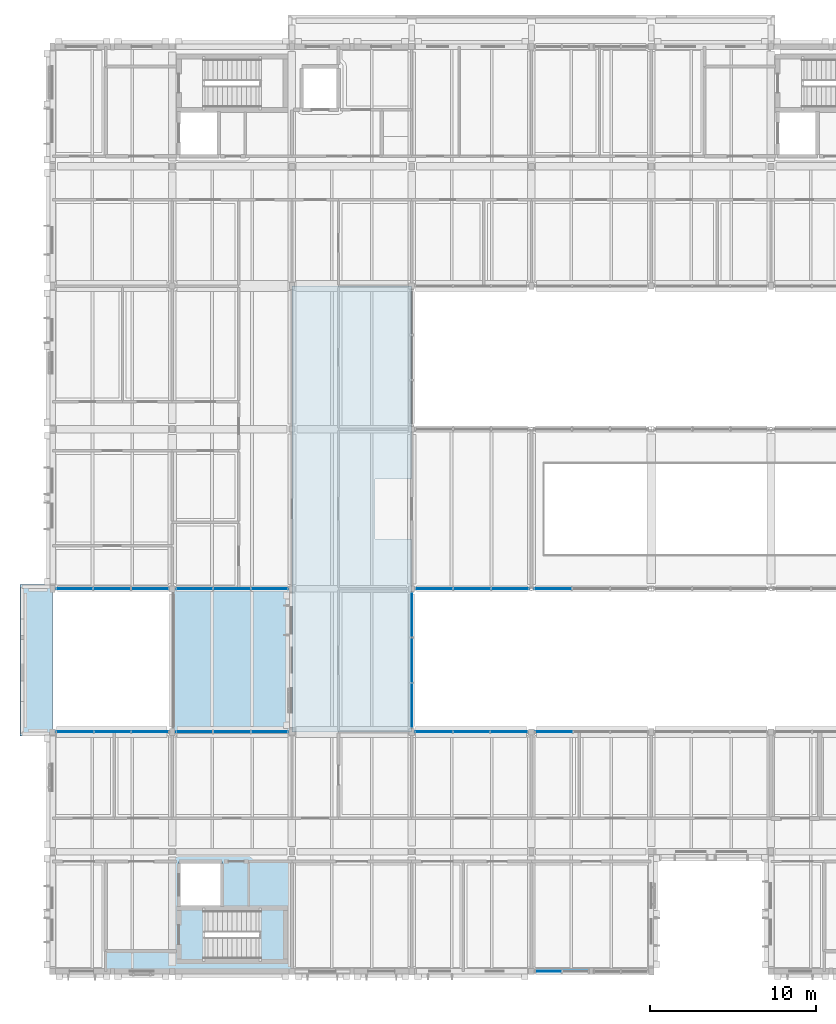
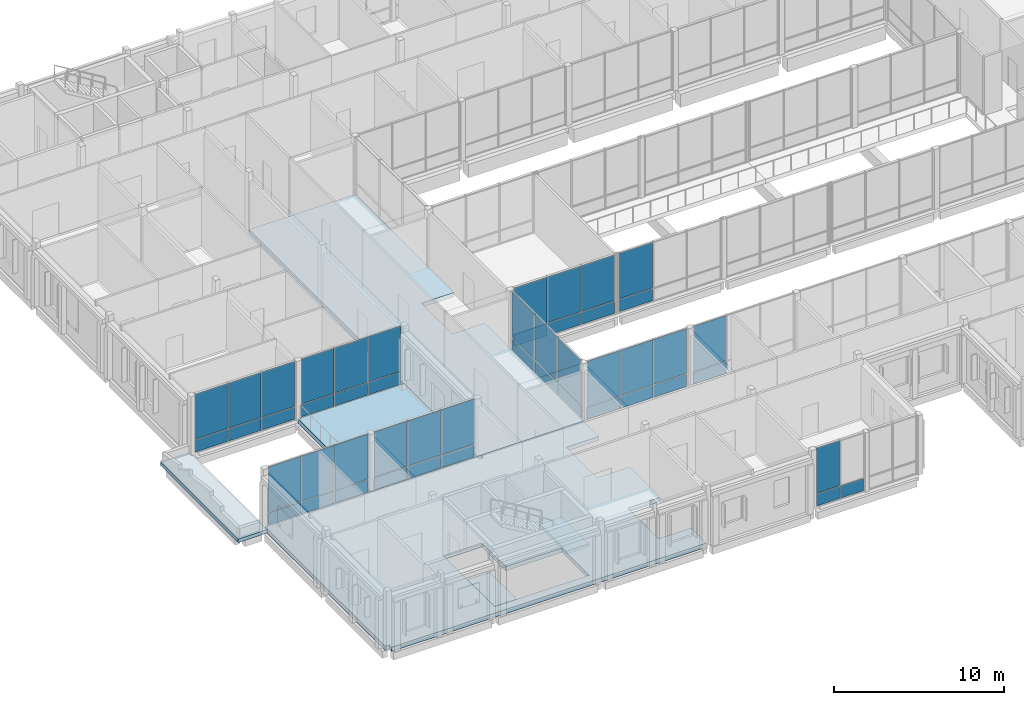
# One storey, part 95 of 146: 49 plates, 6 slabs, 11 elements without a shape of their own.
"""IFC4 building model written with IfcOpenShell, lengths in metres."""

from ifc_helpers import new_model, si_unit, direction, frame, origin, origin_2d, place, context, subcontext, project, spatial, polyline, rectangle, outline, extrude, material, layer, layer_set, type_object, element, aggregate, save


model = new_model("IFC4")

# Units and contexts
model_context = context("Model", 3, precision=1e-05, world=origin(), true_north=direction((0.0, 1.0)))
body_context = subcontext(model_context, "Body", "Model", "MODEL_VIEW")
ifc_project = project(units=[si_unit("LENGTHUNIT", "METRE"), si_unit("AREAUNIT", "SQUARE_METRE"), si_unit("VOLUMEUNIT", "CUBIC_METRE"), si_unit("PLANEANGLEUNIT", "RADIAN"), si_unit("MASSUNIT", "GRAM", prefix="KILO")], contexts=[model_context])

# Site, building, storey
site_placement = place(None, origin())
site = spatial("IfcSite", under=ifc_project, at=site_placement, CompositionType="ELEMENT")
building_placement = place(site_placement, origin())
building = spatial("IfcBuilding", under=site, at=building_placement, Name="Hawrajan Terrace Health Centre", CompositionType="ELEMENT")
storey_placement = place(building_placement, frame((0.0, 0.0, 4.5)))
storey = spatial("IfcBuildingStorey", under=building, at=storey_placement, Name="L01", CompositionType="ELEMENT", Elevation=4.5)

# Curtain wall, plates
ifc_material_1 = material(Name="Anodized bronze aluminium and low-E solar glazing", Category="aluminium")
curtain_wall_type_1 = type_object("IfcCurtainWallType", Name="CW_Court_SeriesB2", PredefinedType="USERDEFINED", material=ifc_material_1)
curtain_wall_1_placement = place(storey_placement, origin())
curtain_wall_1 = element("IfcCurtainWall", 1, at=curtain_wall_1_placement, inside=storey, type_object=curtain_wall_type_1, Name="Curtain wall CW-L01-053", ObjectType="UNITISED CURTAIN WALL", PredefinedType="USERDEFINED")
ifc_material_2 = material(Name="Diffused north-light insulated glazing", Category="glass")
ifc_layer_1 = layer(ifc_material_2, 0.031982421875)
ifc_layer_set_1 = layer_set([ifc_layer_1], Name="Diffused north-light insulated glazing")
plate_type_1 = type_object("IfcPlateType", Name="ClerestoryGlassPanel_32", PredefinedType="CURTAIN_PANEL", material=ifc_layer_set_1)
plate_1_placement = place(storey_placement, frame((13.12841796875, 18.60009765625, 0.9814453125), z_axis=(0.0, 0.0, 1.0), x_axis=(1.0, 0.0, 0.0)))
plate_1 = element("IfcPlate", 2, at=plate_1_placement, type_object=plate_type_1, Name="Curtain panel CW-L01-053-P1-2", PredefinedType="CURTAIN_PANEL", context=body_context, shape_type="SweptSolid", body=[
    extrude(rectangle(XDim=2.19873046875, YDim=0.031982421875, at=origin_2d()), origin(), (0.0, 0.0, 1.0), 3.20947265625),
])
plate_2_placement = place(storey_placement, frame((15.389892578125, 18.60009765625, 0.9814453125), z_axis=(0.0, 0.0, 1.0), x_axis=(1.0, 0.0, 0.0)))
plate_2 = element("IfcPlate", 3, at=plate_2_placement, type_object=plate_type_1, Name="Curtain panel CW-L01-053-P2-2", PredefinedType="CURTAIN_PANEL", context=body_context, shape_type="SweptSolid", body=[
    extrude(rectangle(XDim=2.19873046875, YDim=0.031982421875, at=origin_2d()), origin(), (0.0, 0.0, 1.0), 3.20947265625),
])
plate_3_placement = place(storey_placement, frame((17.651611328125, 18.60009765625, 0.9814453125), z_axis=(0.0, 0.0, 1.0), x_axis=(1.0, 0.0, 0.0)))
plate_3 = element("IfcPlate", 4, at=plate_3_placement, type_object=plate_type_1, Name="Curtain panel CW-L01-053-P3-2", PredefinedType="CURTAIN_PANEL", context=body_context, shape_type="SweptSolid", body=[
    extrude(rectangle(XDim=2.19873046875, YDim=0.031982421875, at=origin_2d()), origin(), (0.0, 0.0, 1.0), 3.20947265625),
])

# Slabs
ifc_material_3 = material(Name="Concrete C40/50", Category="concrete")
ifc_layer_2 = layer(ifc_material_3, 0.300048828125)
ifc_layer_set_2 = layer_set([ifc_layer_2], Name="Concrete C40/50")
slab_type_1 = type_object("IfcSlabType", Name="PodiumSlab_RC300", PredefinedType="FLOOR", material=ifc_layer_set_2)
slab_1_placement = place(storey_placement, frame((0.0, 0.0, -0.300048828125)))
element("IfcSlab", 5, at=slab_1_placement, inside=storey, type_object=slab_type_1, Name="Structural slab SL-L01-W-V1-Z0-1", PredefinedType="FLOOR", context=body_context, shape_type="SweptSolid", body=[
    extrude(outline(polyline([(19.0, 18.60009765625), (19.0, 27.199951171875), (19.0, 36.800048828125), (19.0, 45.39990234375), (19.280029296875, 45.39990234375), (26.199951171875, 45.39990234375), (26.199951171875, 36.800048828125), (26.199951171875, 33.800048828125), (24.0, 33.800048828125), (24.0, 30.199951171875), (26.199951171875, 30.199951171875), (26.199951171875, 27.199951171875), (26.199951171875, 18.60009765625), (19.280029296875, 18.60009765625), (19.0, 18.60009765625)])), origin(), (0.0, 0.0, 1.0), 0.300048828125),
])
slab_2_placement = place(storey_placement, frame((0.0, 0.0, -0.300048828125)))
element("IfcSlab", 6, at=slab_2_placement, inside=storey, type_object=slab_type_1, Name="Structural slab SL-L01-W-V4-Z0-1", PredefinedType="FLOOR", context=body_context, shape_type="SweptSolid", body=[
    extrude(outline(polyline([(11.800048828125, 18.60009765625), (18.998046875, 18.60009765625), (18.998046875, 18.597900390625), (19.0, 18.597900390625), (19.0, 18.320068359375), (19.280029296875, 18.320068359375), (19.280029296875, 18.597900390625), (26.199951171875, 18.597900390625), (26.199951171875, 16.800048828125), (24.0, 16.800048828125), (24.0, 13.199951171875), (26.199951171875, 13.199951171875), (26.199951171875, 11.39990234375), (26.199951171875, 9.60009765625), (24.0, 9.60009765625), (24.0, 6.0), (26.199951171875, 6.0), (26.199951171875, 4.47998046875), (26.199951171875, 4.199951171875), (19.0, 4.199951171875), (11.800048828125, 4.199951171875), (4.8798828125, 4.199951171875), (4.8798828125, 4.47998046875), (4.60009765625, 4.47998046875), (4.60009765625, 11.39990234375), (4.60009765625, 18.60009765625), (11.800048828125, 18.60009765625)]), holes=[polyline([(12.199951171875, 4.800048828125), (18.60009765625, 4.800048828125), (18.60009765625, 8.0), (14.800048828125, 8.0), (14.800048828125, 10.800048828125), (12.199951171875, 10.800048828125), (12.199951171875, 8.0), (12.199951171875, 4.800048828125)])]), origin(), (0.0, 0.0, 1.0), 0.300048828125),
])
slab_3_placement = place(storey_placement, frame((0.0, 0.0, -0.300048828125)))
element("IfcSlab", 7, at=slab_3_placement, inside=storey, type_object=slab_type_1, Name="External terrace deck TR-L01-TERR-L01-WEST-W-1", PredefinedType="FLOOR", context=body_context, shape_type="SweptSolid", body=[
    extrude(outline(polyline([(11.800048828125, 18.60009765625), (11.800048828125, 27.199951171875), (19.0, 27.199951171875), (19.0, 18.60009765625), (11.800048828125, 18.60009765625)])), origin(), (0.0, 0.0, 1.0), 0.300048828125),
])
ifc_material_4 = material(Name="Cross-laminated timber CLT C24", Category="wood")
ifc_layer_3 = layer(ifc_material_4, 0.25)
ifc_layer_set_3 = layer_set([ifc_layer_3], Name="Cross-laminated timber CLT C24")
slab_type_2 = type_object("IfcSlabType", Name="RoofSlab_Ziggurat250", PredefinedType="ROOF", material=ifc_layer_set_3)
slab_4_placement = place(storey_placement, frame((0.0, 0.0, -0.300048828125)))
element("IfcSlab", 8, at=slab_4_placement, inside=storey, type_object=slab_type_2, Name="Patient drop-off portico canopy roof", PredefinedType="ROOF", context=body_context, shape_type="SweptSolid", body=[
    extrude(outline(polyline([(2.64990234375, 18.35009765625), (4.60009765625, 18.35009765625), (4.60009765625, 27.449951171875), (2.64990234375, 27.449951171875), (2.64990234375, 18.35009765625)])), origin(), (0.0, 0.0, 1.0), 0.25),
])

# Curtain wall, plates
curtain_wall_type_2 = type_object("IfcCurtainWallType", Name="CW_Court_SeriesB1", PredefinedType="USERDEFINED", material=ifc_material_1)
curtain_wall_2_placement = place(storey_placement, origin())
curtain_wall_2 = element("IfcCurtainWall", 9, at=curtain_wall_2_placement, inside=storey, type_object=curtain_wall_type_2, Name="Curtain wall CW-L01-052", ObjectType="UNITISED CURTAIN WALL", PredefinedType="USERDEFINED")
ifc_material_5 = material(Name="Insulated anodized bronze spandrel panel")
ifc_layer_4 = layer(ifc_material_5, 0.048095703125)
ifc_layer_set_4 = layer_set([ifc_layer_4], Name="Insulated anodized bronze spandrel panel")
plate_type_2 = type_object("IfcPlateType", Name="SpandrelPanel_Bronze48", PredefinedType="CURTAIN_PANEL", material=ifc_layer_set_4)
plate_4_placement = place(storey_placement, frame((5.925048828125, 27.199951171875, 0.05908203125), z_axis=(0.0, 0.0, 1.0), x_axis=(1.0, 0.0, 0.0)))
plate_4 = element("IfcPlate", 10, at=plate_4_placement, type_object=plate_type_2, Name="Curtain panel CW-L01-052-P1-1", PredefinedType="CURTAIN_PANEL", context=body_context, shape_type="SweptSolid", body=[
    extrude(rectangle(XDim=2.2119140625, YDim=0.048095703125, at=origin_2d()), origin(), (0.0, 0.0, 1.0), 0.864501953125),
])
plate_5_placement = place(storey_placement, frame((8.18994140625, 27.199951171875, 0.05908203125), z_axis=(0.0, 0.0, 1.0), x_axis=(1.0, 0.0, 0.0)))
plate_5 = element("IfcPlate", 11, at=plate_5_placement, type_object=plate_type_2, Name="Curtain panel CW-L01-052-P2-1", PredefinedType="CURTAIN_PANEL", context=body_context, shape_type="SweptSolid", body=[
    extrude(rectangle(XDim=2.2119140625, YDim=0.048095703125, at=origin_2d()), origin(), (0.0, 0.0, 1.0), 0.864501953125),
])
plate_6_placement = place(storey_placement, frame((10.455078125, 27.199951171875, 0.05908203125), z_axis=(0.0, 0.0, 1.0), x_axis=(1.0, 0.0, 0.0)))
plate_6 = element("IfcPlate", 12, at=plate_6_placement, type_object=plate_type_2, Name="Curtain panel CW-L01-052-P3-1", PredefinedType="CURTAIN_PANEL", context=body_context, shape_type="SweptSolid", body=[
    extrude(rectangle(XDim=2.2119140625, YDim=0.048095703125, at=origin_2d()), origin(), (0.0, 0.0, 1.0), 0.864501953125),
])

curtain_wall_type_3 = type_object("IfcCurtainWallType", Name="CW_Court_SeriesB3", PredefinedType="USERDEFINED", material=ifc_material_1)
curtain_wall_3_placement = place(storey_placement, origin())
curtain_wall_3 = element("IfcCurtainWall", 13, at=curtain_wall_3_placement, inside=storey, type_object=curtain_wall_type_3, Name="Curtain wall CW-L01-054", ObjectType="UNITISED CURTAIN WALL", PredefinedType="USERDEFINED")
plate_7_placement = place(storey_placement, frame((13.1416015625, 27.199951171875, 0.05908203125), z_axis=(0.0, 0.0, 1.0), x_axis=(1.0, 0.0, 0.0)))
plate_7 = element("IfcPlate", 14, at=plate_7_placement, type_object=plate_type_2, Name="Curtain panel CW-L01-054-P1-1", PredefinedType="CURTAIN_PANEL", context=body_context, shape_type="SweptSolid", body=[
    extrude(rectangle(XDim=2.205322265625, YDim=0.048095703125, at=origin_2d()), origin(), (0.0, 0.0, 1.0), 0.864501953125),
])
plate_8_placement = place(storey_placement, frame((15.39990234375, 27.199951171875, 0.05908203125), z_axis=(0.0, 0.0, 1.0), x_axis=(1.0, 0.0, 0.0)))
plate_8 = element("IfcPlate", 15, at=plate_8_placement, type_object=plate_type_2, Name="Curtain panel CW-L01-054-P2-1", PredefinedType="CURTAIN_PANEL", context=body_context, shape_type="SweptSolid", body=[
    extrude(rectangle(XDim=2.205322265625, YDim=0.048095703125, at=origin_2d()), origin(), (0.0, 0.0, 1.0), 0.864501953125),
])
plate_9_placement = place(storey_placement, frame((17.658203125, 27.199951171875, 0.05908203125), z_axis=(0.0, 0.0, 1.0), x_axis=(1.0, 0.0, 0.0)))
plate_9 = element("IfcPlate", 16, at=plate_9_placement, type_object=plate_type_2, Name="Curtain panel CW-L01-054-P3-1", PredefinedType="CURTAIN_PANEL", context=body_context, shape_type="SweptSolid", body=[
    extrude(rectangle(XDim=2.205322265625, YDim=0.048095703125, at=origin_2d()), origin(), (0.0, 0.0, 1.0), 0.864501953125),
])

curtain_wall_type_4 = type_object("IfcCurtainWallType", Name="CW_Hall_SeriesD1", PredefinedType="USERDEFINED", material=ifc_material_1)
curtain_wall_4_placement = place(storey_placement, origin())
curtain_wall_4 = element("IfcCurtainWall", 17, at=curtain_wall_4_placement, inside=storey, type_object=curtain_wall_type_4, Name="Curtain wall CW-L01-058", ObjectType="UNITISED CURTAIN WALL", PredefinedType="USERDEFINED")
plate_10_placement = place(storey_placement, frame((27.553466796875, 27.199951171875, 0.05908203125), z_axis=(0.0, 0.0, 1.0), x_axis=(1.0, 0.0, 0.0)))
plate_10 = element("IfcPlate", 18, at=plate_10_placement, type_object=plate_type_2, Name="Curtain panel CW-L01-058-P1-1", PredefinedType="CURTAIN_PANEL", context=body_context, shape_type="SweptSolid", body=[
    extrude(rectangle(XDim=2.228759765625, YDim=0.048095703125, at=origin_2d()), origin(), (0.0, 0.0, 1.0), 0.864501953125),
])
plate_11_placement = place(storey_placement, frame((29.835205078125, 27.199951171875, 0.05908203125), z_axis=(0.0, 0.0, 1.0), x_axis=(1.0, 0.0, 0.0)))
plate_11 = element("IfcPlate", 19, at=plate_11_placement, type_object=plate_type_2, Name="Curtain panel CW-L01-058-P2-1", PredefinedType="CURTAIN_PANEL", context=body_context, shape_type="SweptSolid", body=[
    extrude(rectangle(XDim=2.228759765625, YDim=0.048095703125, at=origin_2d()), origin(), (0.0, 0.0, 1.0), 0.864501953125),
])
plate_12_placement = place(storey_placement, frame((32.116943359375, 27.199951171875, 0.05908203125), z_axis=(0.0, 0.0, 1.0), x_axis=(1.0, 0.0, 0.0)))
plate_12 = element("IfcPlate", 20, at=plate_12_placement, type_object=plate_type_2, Name="Curtain panel CW-L01-058-P3-1", PredefinedType="CURTAIN_PANEL", context=body_context, shape_type="SweptSolid", body=[
    extrude(rectangle(XDim=2.228759765625, YDim=0.048095703125, at=origin_2d()), origin(), (0.0, 0.0, 1.0), 0.864501953125),
])

# Curtain wall, plate
curtain_wall_type_5 = type_object("IfcCurtainWallType", Name="CW_Clerestory_SeriesG1", PredefinedType="USERDEFINED", material=ifc_material_1)
curtain_wall_5_placement = place(storey_placement, origin())
curtain_wall_5 = element("IfcCurtainWall", 21, at=curtain_wall_5_placement, inside=storey, type_object=curtain_wall_type_5, Name="Curtain wall CW-L01-064", ObjectType="UNITISED CURTAIN WALL", PredefinedType="USERDEFINED")
plate_13_placement = place(storey_placement, frame((34.68798828125, 27.199951171875, 0.05908203125), z_axis=(0.0, 0.0, 1.0), x_axis=(1.0, 0.0, 0.0)))
plate_13 = element("IfcPlate", 22, at=plate_13_placement, type_object=plate_type_2, Name="Curtain panel CW-L01-064-P1-1", PredefinedType="CURTAIN_PANEL", context=body_context, shape_type="SweptSolid", body=[
    extrude(rectangle(XDim=2.23876953125, YDim=0.048095703125, at=origin_2d()), origin(), (0.0, 0.0, 1.0), 0.864501953125),
])

# Curtain wall, plates
curtain_wall_type_6 = type_object("IfcCurtainWallType", Name="CW_Court_SeriesA3", PredefinedType="USERDEFINED", material=ifc_material_1)
curtain_wall_6_placement = place(storey_placement, origin())
curtain_wall_6 = element("IfcCurtainWall", 23, at=curtain_wall_6_placement, inside=storey, type_object=curtain_wall_type_6, Name="Curtain wall CW-L01-051", ObjectType="UNITISED CURTAIN WALL", PredefinedType="USERDEFINED")
ifc_material_6 = material(Name="Insulated reconstituted coral-stone spandrel", Category="masonry")
ifc_layer_5 = layer(ifc_material_6, 0.055908203125)
ifc_layer_set_5 = layer_set([ifc_layer_5], Name="Insulated reconstituted coral-stone spandrel")
plate_type_3 = type_object("IfcPlateType", Name="SpandrelPanel_Coral56", PredefinedType="CURTAIN_PANEL", material=ifc_layer_set_5)
plate_14_placement = place(storey_placement, frame((5.945068359375, 18.60009765625, 0.05908203125), z_axis=(0.0, 0.0, 1.0), x_axis=(1.0, 0.0, 0.0)))
plate_14 = element("IfcPlate", 24, at=plate_14_placement, type_object=plate_type_3, Name="Curtain panel CW-L01-051-P1-1", PredefinedType="CURTAIN_PANEL", context=body_context, shape_type="SweptSolid", body=[
    extrude(rectangle(XDim=2.2119140625, YDim=0.055908203125, at=origin_2d()), origin(), (0.0, 0.0, 1.0), 0.864501953125),
])
plate_15_placement = place(storey_placement, frame((8.2099609375, 18.60009765625, 0.05908203125), z_axis=(0.0, 0.0, 1.0), x_axis=(1.0, 0.0, 0.0)))
plate_15 = element("IfcPlate", 25, at=plate_15_placement, type_object=plate_type_3, Name="Curtain panel CW-L01-051-P2-1", PredefinedType="CURTAIN_PANEL", context=body_context, shape_type="SweptSolid", body=[
    extrude(rectangle(XDim=2.2119140625, YDim=0.055908203125, at=origin_2d()), origin(), (0.0, 0.0, 1.0), 0.864501953125),
])
plate_16_placement = place(storey_placement, frame((10.47509765625, 18.60009765625, 0.05908203125), z_axis=(0.0, 0.0, 1.0), x_axis=(1.0, 0.0, 0.0)))
plate_16 = element("IfcPlate", 26, at=plate_16_placement, type_object=plate_type_3, Name="Curtain panel CW-L01-051-P3-1", PredefinedType="CURTAIN_PANEL", context=body_context, shape_type="SweptSolid", body=[
    extrude(rectangle(XDim=2.2119140625, YDim=0.055908203125, at=origin_2d()), origin(), (0.0, 0.0, 1.0), 0.864501953125),
])

# Plate
plate_17_placement = place(storey_placement, frame((13.12841796875, 18.60009765625, 0.069091796875), z_axis=(0.0, 0.0, 1.0), x_axis=(1.0, 0.0, 0.0)))
plate_17 = element("IfcPlate", 27, at=plate_17_placement, type_object=plate_type_3, Name="Curtain panel CW-L01-053-P1-1", PredefinedType="CURTAIN_PANEL", context=body_context, shape_type="SweptSolid", body=[
    extrude(rectangle(XDim=2.19873046875, YDim=0.055908203125, at=origin_2d()), origin(), (0.0, 0.0, 1.0), 0.849609375),
])

plate_18_placement = place(storey_placement, frame((15.389892578125, 18.60009765625, 0.069091796875), z_axis=(0.0, 0.0, 1.0), x_axis=(1.0, 0.0, 0.0)))
plate_18 = element("IfcPlate", 28, at=plate_18_placement, type_object=plate_type_3, Name="Curtain panel CW-L01-053-P2-1", PredefinedType="CURTAIN_PANEL", context=body_context, shape_type="SweptSolid", body=[
    extrude(rectangle(XDim=2.19873046875, YDim=0.055908203125, at=origin_2d()), origin(), (0.0, 0.0, 1.0), 0.849609375),
])

plate_19_placement = place(storey_placement, frame((17.651611328125, 18.60009765625, 0.069091796875), z_axis=(0.0, 0.0, 1.0), x_axis=(1.0, 0.0, 0.0)))
plate_19 = element("IfcPlate", 29, at=plate_19_placement, type_object=plate_type_3, Name="Curtain panel CW-L01-053-P3-1", PredefinedType="CURTAIN_PANEL", context=body_context, shape_type="SweptSolid", body=[
    extrude(rectangle(XDim=2.19873046875, YDim=0.055908203125, at=origin_2d()), origin(), (0.0, 0.0, 1.0), 0.849609375),
])

aggregate(curtain_wall_1, [plate_17, plate_1, plate_18, plate_2, plate_19, plate_3])

# Curtain wall, plates
curtain_wall_type_7 = type_object("IfcCurtainWallType", Name="CW_CourtNS_SeriesC1", PredefinedType="USERDEFINED", material=ifc_material_1)
curtain_wall_7_placement = place(storey_placement, origin())
curtain_wall_7 = element("IfcCurtainWall", 30, at=curtain_wall_7_placement, inside=storey, type_object=curtain_wall_type_7, Name="Curtain wall CW-L01-055", ObjectType="UNITISED CURTAIN WALL", PredefinedType="USERDEFINED")
plate_20_placement = place(storey_placement, frame((26.199951171875, 20.199951171875, 0.05908203125), z_axis=(0.0, 0.0, 1.0), x_axis=(0.0, 1.0, 0.0)))
plate_20 = element("IfcPlate", 31, at=plate_20_placement, type_object=plate_type_3, Name="Curtain panel CW-L01-055-P1-1", PredefinedType="CURTAIN_PANEL", context=body_context, shape_type="SweptSolid", body=[
    extrude(rectangle(XDim=2.662109375, YDim=0.055908203125, at=origin_2d()), origin(), (0.0, 0.0, 1.0), 0.864501953125),
])
plate_21_placement = place(storey_placement, frame((26.199951171875, 22.9150390625, 0.05908203125), z_axis=(0.0, 0.0, 1.0), x_axis=(0.0, 1.0, 0.0)))
plate_21 = element("IfcPlate", 32, at=plate_21_placement, type_object=plate_type_3, Name="Curtain panel CW-L01-055-P2-1", PredefinedType="CURTAIN_PANEL", context=body_context, shape_type="SweptSolid", body=[
    extrude(rectangle(XDim=2.662109375, YDim=0.055908203125, at=origin_2d()), origin(), (0.0, 0.0, 1.0), 0.864501953125),
])
plate_22_placement = place(storey_placement, frame((26.199951171875, 25.6298828125, 0.05908203125), z_axis=(0.0, 0.0, 1.0), x_axis=(0.0, 1.0, 0.0)))
plate_22 = element("IfcPlate", 33, at=plate_22_placement, type_object=plate_type_3, Name="Curtain panel CW-L01-055-P3-1", PredefinedType="CURTAIN_PANEL", context=body_context, shape_type="SweptSolid", body=[
    extrude(rectangle(XDim=2.662109375, YDim=0.055908203125, at=origin_2d()), origin(), (0.0, 0.0, 1.0), 0.864501953125),
])

curtain_wall_type_8 = type_object("IfcCurtainWallType", Name="CW_CourtNS_SeriesC3", PredefinedType="USERDEFINED", material=ifc_material_1)
curtain_wall_8_placement = place(storey_placement, origin())
curtain_wall_8 = element("IfcCurtainWall", 34, at=curtain_wall_8_placement, inside=storey, type_object=curtain_wall_type_8, Name="Curtain wall CW-L01-057", ObjectType="UNITISED CURTAIN WALL", PredefinedType="USERDEFINED")
plate_23_placement = place(storey_placement, frame((27.52490234375, 18.60009765625, 0.05908203125), z_axis=(0.0, 0.0, 1.0), x_axis=(1.0, 0.0, 0.0)))
plate_23 = element("IfcPlate", 35, at=plate_23_placement, type_object=plate_type_3, Name="Curtain panel CW-L01-057-P1-1", PredefinedType="CURTAIN_PANEL", context=body_context, shape_type="SweptSolid", body=[
    extrude(rectangle(XDim=2.2119140625, YDim=0.055908203125, at=origin_2d()), origin(), (0.0, 0.0, 1.0), 0.864501953125),
])
plate_24_placement = place(storey_placement, frame((29.7900390625, 18.60009765625, 0.05908203125), z_axis=(0.0, 0.0, 1.0), x_axis=(1.0, 0.0, 0.0)))
plate_24 = element("IfcPlate", 36, at=plate_24_placement, type_object=plate_type_3, Name="Curtain panel CW-L01-057-P2-1", PredefinedType="CURTAIN_PANEL", context=body_context, shape_type="SweptSolid", body=[
    extrude(rectangle(XDim=2.2119140625, YDim=0.055908203125, at=origin_2d()), origin(), (0.0, 0.0, 1.0), 0.864501953125),
])
plate_25_placement = place(storey_placement, frame((32.054931640625, 18.60009765625, 0.05908203125), z_axis=(0.0, 0.0, 1.0), x_axis=(1.0, 0.0, 0.0)))
plate_25 = element("IfcPlate", 37, at=plate_25_placement, type_object=plate_type_3, Name="Curtain panel CW-L01-057-P3-1", PredefinedType="CURTAIN_PANEL", context=body_context, shape_type="SweptSolid", body=[
    extrude(rectangle(XDim=2.2119140625, YDim=0.055908203125, at=origin_2d()), origin(), (0.0, 0.0, 1.0), 0.864501953125),
])

curtain_wall_type_9 = type_object("IfcCurtainWallType", Name="CW_Pavilion_SeriesE2", PredefinedType="USERDEFINED", material=ifc_material_1)
curtain_wall_9_placement = place(storey_placement, origin())
curtain_wall_9 = element("IfcCurtainWall", 38, at=curtain_wall_9_placement, inside=storey, type_object=curtain_wall_type_9, Name="Curtain wall CW-L01-061", ObjectType="UNITISED CURTAIN WALL", PredefinedType="USERDEFINED")
plate_26_placement = place(storey_placement, frame((34.42138671875, 4.199951171875, 0.05908203125), z_axis=(0.0, 0.0, 1.0), x_axis=(1.0, 0.0, 0.0)))
plate_26 = element("IfcPlate", 39, at=plate_26_placement, type_object=plate_type_3, Name="Curtain panel CW-L01-061-P1-1", PredefinedType="CURTAIN_PANEL", context=body_context, shape_type="SweptSolid", body=[
    extrude(rectangle(XDim=1.564453125, YDim=0.055908203125, at=origin_2d()), origin(), (0.0, 0.0, 1.0), 0.864501953125),
])
plate_27_placement = place(storey_placement, frame((36.038818359375, 4.199951171875, 0.05908203125), z_axis=(0.0, 0.0, 1.0), x_axis=(1.0, 0.0, 0.0)))
plate_27 = element("IfcPlate", 40, at=plate_27_placement, type_object=plate_type_3, Name="Curtain panel CW-L01-061-P2-1", PredefinedType="CURTAIN_PANEL", context=body_context, shape_type="SweptSolid", body=[
    extrude(rectangle(XDim=1.564453125, YDim=0.055908203125, at=origin_2d()), origin(), (0.0, 0.0, 1.0), 0.864501953125),
])

# Curtain wall, plate
curtain_wall_type_10 = type_object("IfcCurtainWallType", Name="CW_Garden_SeriesF2", PredefinedType="USERDEFINED", material=ifc_material_1)
curtain_wall_10_placement = place(storey_placement, origin())
curtain_wall_10 = element("IfcCurtainWall", 41, at=curtain_wall_10_placement, inside=storey, type_object=curtain_wall_type_10, Name="Curtain wall CW-L01-063", ObjectType="UNITISED CURTAIN WALL", PredefinedType="USERDEFINED")
plate_28_placement = place(storey_placement, frame((34.7451171875, 18.60009765625, 0.05908203125), z_axis=(0.0, 0.0, 1.0), x_axis=(1.0, 0.0, 0.0)))
plate_28 = element("IfcPlate", 42, at=plate_28_placement, type_object=plate_type_3, Name="Curtain panel CW-L01-063-P1-1", PredefinedType="CURTAIN_PANEL", context=body_context, shape_type="SweptSolid", body=[
    extrude(rectangle(XDim=2.2119140625, YDim=0.055908203125, at=origin_2d()), origin(), (0.0, 0.0, 1.0), 0.864501953125),
])

# Stair, slabs
stair_type = type_object("IfcStairType", Name="Stair_4500_W1300", PredefinedType="HALF_TURN_STAIR", material=ifc_material_3)
stair_placement = place(storey_placement, origin())
stair = element("IfcStair", 43, at=stair_placement, inside=storey, type_object=stair_type, Name="Stair ST-3-L01", PredefinedType="HALF_TURN_STAIR")
ifc_layer_6 = layer(ifc_material_3, 0.219970703125)
ifc_layer_set_6 = layer_set([ifc_layer_6], Name="Concrete C40/50")
slab_type_3 = type_object("IfcSlabType", Name="StairLanding_RC220", PredefinedType="LANDING", material=ifc_layer_set_6)
slab_5_placement = place(storey_placement, frame((0.0, 0.0, -0.219970703125)))
slab_5 = element("IfcSlab", 44, at=slab_5_placement, type_object=slab_type_3, Name="Stair floor landing ST-3-L01-L0", PredefinedType="LANDING", context=body_context, shape_type="SweptSolid", body=[
    extrude(outline(polyline([(12.199951171875, 4.800048828125), (13.699951171875, 4.800048828125), (13.699951171875, 8.0), (12.199951171875, 8.0), (12.199951171875, 4.800048828125)])), origin(), (0.0, 0.0, 1.0), 0.219970703125),
])
slab_6_placement = place(storey_placement, frame((0.0, 0.0, 2.030029296875)))
slab_6 = element("IfcSlab", 45, at=slab_6_placement, type_object=slab_type_3, Name="Stair half landing ST-3-L01-L1", PredefinedType="LANDING", context=body_context, shape_type="SweptSolid", body=[
    extrude(outline(polyline([(17.10009765625, 4.800048828125), (18.60009765625, 4.800048828125), (18.60009765625, 8.0), (17.10009765625, 8.0), (17.10009765625, 4.800048828125)])), origin(), (0.0, 0.0, 1.0), 0.219970703125),
])
aggregate(stair, [slab_5, slab_6])

# Plate
ifc_material_7 = material(Name="Double-glazed solar control low-E glass", Category="glass")
ifc_layer_7 = layer(ifc_material_7, 0.028076171875)
ifc_layer_set_7 = layer_set([ifc_layer_7], Name="Double-glazed solar control low-E glass")
plate_type_4 = type_object("IfcPlateType", Name="VisionGlassPanel_28", PredefinedType="CURTAIN_PANEL", material=ifc_layer_set_7)
plate_29_placement = place(storey_placement, frame((5.945068359375, 18.60009765625, 0.976318359375), z_axis=(0.0, 0.0, 1.0), x_axis=(1.0, 0.0, 0.0)))
plate_29 = element("IfcPlate", 46, at=plate_29_placement, type_object=plate_type_4, Name="Curtain panel CW-L01-051-P1-2", PredefinedType="CURTAIN_PANEL", context=body_context, shape_type="SweptSolid", body=[
    extrude(rectangle(XDim=2.2119140625, YDim=0.028076171875, at=origin_2d()), origin(), (0.0, 0.0, 1.0), 3.224609375),
])

plate_30_placement = place(storey_placement, frame((8.2099609375, 18.60009765625, 0.976318359375), z_axis=(0.0, 0.0, 1.0), x_axis=(1.0, 0.0, 0.0)))
plate_30 = element("IfcPlate", 47, at=plate_30_placement, type_object=plate_type_4, Name="Curtain panel CW-L01-051-P2-2", PredefinedType="CURTAIN_PANEL", context=body_context, shape_type="SweptSolid", body=[
    extrude(rectangle(XDim=2.2119140625, YDim=0.028076171875, at=origin_2d()), origin(), (0.0, 0.0, 1.0), 3.224609375),
])

plate_31_placement = place(storey_placement, frame((10.47509765625, 18.60009765625, 0.976318359375), z_axis=(0.0, 0.0, 1.0), x_axis=(1.0, 0.0, 0.0)))
plate_31 = element("IfcPlate", 48, at=plate_31_placement, type_object=plate_type_4, Name="Curtain panel CW-L01-051-P3-2", PredefinedType="CURTAIN_PANEL", context=body_context, shape_type="SweptSolid", body=[
    extrude(rectangle(XDim=2.2119140625, YDim=0.028076171875, at=origin_2d()), origin(), (0.0, 0.0, 1.0), 3.224609375),
])

aggregate(curtain_wall_6, [plate_14, plate_29, plate_15, plate_30, plate_16, plate_31])

plate_32_placement = place(storey_placement, frame((13.1416015625, 27.199951171875, 0.976318359375), z_axis=(0.0, 0.0, 1.0), x_axis=(1.0, 0.0, 0.0)))
plate_32 = element("IfcPlate", 49, at=plate_32_placement, type_object=plate_type_4, Name="Curtain panel CW-L01-054-P1-2", PredefinedType="CURTAIN_PANEL", context=body_context, shape_type="SweptSolid", body=[
    extrude(rectangle(XDim=2.205322265625, YDim=0.028076171875, at=origin_2d()), origin(), (0.0, 0.0, 1.0), 3.224609375),
])

plate_33_placement = place(storey_placement, frame((15.39990234375, 27.199951171875, 0.976318359375), z_axis=(0.0, 0.0, 1.0), x_axis=(1.0, 0.0, 0.0)))
plate_33 = element("IfcPlate", 50, at=plate_33_placement, type_object=plate_type_4, Name="Curtain panel CW-L01-054-P2-2", PredefinedType="CURTAIN_PANEL", context=body_context, shape_type="SweptSolid", body=[
    extrude(rectangle(XDim=2.205322265625, YDim=0.028076171875, at=origin_2d()), origin(), (0.0, 0.0, 1.0), 3.224609375),
])

plate_34_placement = place(storey_placement, frame((17.658203125, 27.199951171875, 0.976318359375), z_axis=(0.0, 0.0, 1.0), x_axis=(1.0, 0.0, 0.0)))
plate_34 = element("IfcPlate", 51, at=plate_34_placement, type_object=plate_type_4, Name="Curtain panel CW-L01-054-P3-2", PredefinedType="CURTAIN_PANEL", context=body_context, shape_type="SweptSolid", body=[
    extrude(rectangle(XDim=2.205322265625, YDim=0.028076171875, at=origin_2d()), origin(), (0.0, 0.0, 1.0), 3.224609375),
])

aggregate(curtain_wall_3, [plate_7, plate_32, plate_8, plate_33, plate_9, plate_34])

plate_35_placement = place(storey_placement, frame((27.52490234375, 18.60009765625, 0.976318359375), z_axis=(0.0, 0.0, 1.0), x_axis=(1.0, 0.0, 0.0)))
plate_35 = element("IfcPlate", 52, at=plate_35_placement, type_object=plate_type_4, Name="Curtain panel CW-L01-057-P1-2", PredefinedType="CURTAIN_PANEL", context=body_context, shape_type="SweptSolid", body=[
    extrude(rectangle(XDim=2.2119140625, YDim=0.028076171875, at=origin_2d()), origin(), (0.0, 0.0, 1.0), 3.224609375),
])

plate_36_placement = place(storey_placement, frame((29.7900390625, 18.60009765625, 0.976318359375), z_axis=(0.0, 0.0, 1.0), x_axis=(1.0, 0.0, 0.0)))
plate_36 = element("IfcPlate", 53, at=plate_36_placement, type_object=plate_type_4, Name="Curtain panel CW-L01-057-P2-2", PredefinedType="CURTAIN_PANEL", context=body_context, shape_type="SweptSolid", body=[
    extrude(rectangle(XDim=2.2119140625, YDim=0.028076171875, at=origin_2d()), origin(), (0.0, 0.0, 1.0), 3.224609375),
])

plate_37_placement = place(storey_placement, frame((32.054931640625, 18.60009765625, 0.976318359375), z_axis=(0.0, 0.0, 1.0), x_axis=(1.0, 0.0, 0.0)))
plate_37 = element("IfcPlate", 54, at=plate_37_placement, type_object=plate_type_4, Name="Curtain panel CW-L01-057-P3-2", PredefinedType="CURTAIN_PANEL", context=body_context, shape_type="SweptSolid", body=[
    extrude(rectangle(XDim=2.2119140625, YDim=0.028076171875, at=origin_2d()), origin(), (0.0, 0.0, 1.0), 3.224609375),
])

aggregate(curtain_wall_8, [plate_23, plate_35, plate_24, plate_36, plate_25, plate_37])

plate_38_placement = place(storey_placement, frame((34.7451171875, 18.60009765625, 0.976318359375), z_axis=(0.0, 0.0, 1.0), x_axis=(1.0, 0.0, 0.0)))
plate_38 = element("IfcPlate", 55, at=plate_38_placement, type_object=plate_type_4, Name="Curtain panel CW-L01-063-P1-2", PredefinedType="CURTAIN_PANEL", context=body_context, shape_type="SweptSolid", body=[
    extrude(rectangle(XDim=2.2119140625, YDim=0.028076171875, at=origin_2d()), origin(), (0.0, 0.0, 1.0), 3.224609375),
])

aggregate(curtain_wall_10, [plate_28, plate_38])

ifc_material_8 = material(Name="Triple-glazed solar acoustic low-E glass", Category="glass")
ifc_layer_8 = layer(ifc_material_8, 0.035888671875)
ifc_layer_set_8 = layer_set([ifc_layer_8], Name="Triple-glazed solar acoustic low-E glass")
plate_type_5 = type_object("IfcPlateType", Name="VisionGlassPanel_36", PredefinedType="CURTAIN_PANEL", material=ifc_layer_set_8)
plate_39_placement = place(storey_placement, frame((5.925048828125, 27.199951171875, 0.976318359375), z_axis=(0.0, 0.0, 1.0), x_axis=(1.0, 0.0, 0.0)))
plate_39 = element("IfcPlate", 56, at=plate_39_placement, type_object=plate_type_5, Name="Curtain panel CW-L01-052-P1-2", PredefinedType="CURTAIN_PANEL", context=body_context, shape_type="SweptSolid", body=[
    extrude(rectangle(XDim=2.2119140625, YDim=0.035888671875, at=origin_2d()), origin(), (0.0, 0.0, 1.0), 3.224609375),
])

plate_40_placement = place(storey_placement, frame((8.18994140625, 27.199951171875, 0.976318359375), z_axis=(0.0, 0.0, 1.0), x_axis=(1.0, 0.0, 0.0)))
plate_40 = element("IfcPlate", 57, at=plate_40_placement, type_object=plate_type_5, Name="Curtain panel CW-L01-052-P2-2", PredefinedType="CURTAIN_PANEL", context=body_context, shape_type="SweptSolid", body=[
    extrude(rectangle(XDim=2.2119140625, YDim=0.035888671875, at=origin_2d()), origin(), (0.0, 0.0, 1.0), 3.224609375),
])

plate_41_placement = place(storey_placement, frame((10.455078125, 27.199951171875, 0.976318359375), z_axis=(0.0, 0.0, 1.0), x_axis=(1.0, 0.0, 0.0)))
plate_41 = element("IfcPlate", 58, at=plate_41_placement, type_object=plate_type_5, Name="Curtain panel CW-L01-052-P3-2", PredefinedType="CURTAIN_PANEL", context=body_context, shape_type="SweptSolid", body=[
    extrude(rectangle(XDim=2.2119140625, YDim=0.035888671875, at=origin_2d()), origin(), (0.0, 0.0, 1.0), 3.224609375),
])

aggregate(curtain_wall_2, [plate_4, plate_39, plate_5, plate_40, plate_6, plate_41])

plate_42_placement = place(storey_placement, frame((26.199951171875, 20.199951171875, 0.976318359375), z_axis=(0.0, 0.0, 1.0), x_axis=(0.0, 1.0, 0.0)))
plate_42 = element("IfcPlate", 59, at=plate_42_placement, type_object=plate_type_5, Name="Curtain panel CW-L01-055-P1-2", PredefinedType="CURTAIN_PANEL", context=body_context, shape_type="SweptSolid", body=[
    extrude(rectangle(XDim=2.662109375, YDim=0.035888671875, at=origin_2d()), origin(), (0.0, 0.0, 1.0), 3.224609375),
])

plate_43_placement = place(storey_placement, frame((26.199951171875, 22.9150390625, 0.976318359375), z_axis=(0.0, 0.0, 1.0), x_axis=(0.0, 1.0, 0.0)))
plate_43 = element("IfcPlate", 60, at=plate_43_placement, type_object=plate_type_5, Name="Curtain panel CW-L01-055-P2-2", PredefinedType="CURTAIN_PANEL", context=body_context, shape_type="SweptSolid", body=[
    extrude(rectangle(XDim=2.662109375, YDim=0.035888671875, at=origin_2d()), origin(), (0.0, 0.0, 1.0), 3.224609375),
])

plate_44_placement = place(storey_placement, frame((26.199951171875, 25.6298828125, 0.976318359375), z_axis=(0.0, 0.0, 1.0), x_axis=(0.0, 1.0, 0.0)))
plate_44 = element("IfcPlate", 61, at=plate_44_placement, type_object=plate_type_5, Name="Curtain panel CW-L01-055-P3-2", PredefinedType="CURTAIN_PANEL", context=body_context, shape_type="SweptSolid", body=[
    extrude(rectangle(XDim=2.662109375, YDim=0.035888671875, at=origin_2d()), origin(), (0.0, 0.0, 1.0), 3.224609375),
])

aggregate(curtain_wall_7, [plate_20, plate_42, plate_21, plate_43, plate_22, plate_44])

plate_45_placement = place(storey_placement, frame((27.553466796875, 27.199951171875, 0.9765625), z_axis=(0.0, 0.0, 1.0), x_axis=(1.0, 0.0, 0.0)))
plate_45 = element("IfcPlate", 62, at=plate_45_placement, type_object=plate_type_5, Name="Curtain panel CW-L01-058-P1-2", PredefinedType="CURTAIN_PANEL", context=body_context, shape_type="SweptSolid", body=[
    extrude(rectangle(XDim=2.228759765625, YDim=0.035888671875, at=origin_2d()), origin(), (0.0, 0.0, 1.0), 3.264404296875),
])

plate_46_placement = place(storey_placement, frame((29.835205078125, 27.199951171875, 0.9765625), z_axis=(0.0, 0.0, 1.0), x_axis=(1.0, 0.0, 0.0)))
plate_46 = element("IfcPlate", 63, at=plate_46_placement, type_object=plate_type_5, Name="Curtain panel CW-L01-058-P2-2", PredefinedType="CURTAIN_PANEL", context=body_context, shape_type="SweptSolid", body=[
    extrude(rectangle(XDim=2.228759765625, YDim=0.035888671875, at=origin_2d()), origin(), (0.0, 0.0, 1.0), 3.264404296875),
])

plate_47_placement = place(storey_placement, frame((32.116943359375, 27.199951171875, 0.9765625), z_axis=(0.0, 0.0, 1.0), x_axis=(1.0, 0.0, 0.0)))
plate_47 = element("IfcPlate", 64, at=plate_47_placement, type_object=plate_type_5, Name="Curtain panel CW-L01-058-P3-2", PredefinedType="CURTAIN_PANEL", context=body_context, shape_type="SweptSolid", body=[
    extrude(rectangle(XDim=2.228759765625, YDim=0.035888671875, at=origin_2d()), origin(), (0.0, 0.0, 1.0), 3.264404296875),
])

aggregate(curtain_wall_4, [plate_10, plate_45, plate_11, plate_46, plate_12, plate_47])

plate_48_placement = place(storey_placement, frame((34.42138671875, 4.199951171875, 0.976318359375), z_axis=(0.0, 0.0, 1.0), x_axis=(1.0, 0.0, 0.0)))
plate_48 = element("IfcPlate", 65, at=plate_48_placement, type_object=plate_type_5, Name="Curtain panel CW-L01-061-P1-2", PredefinedType="CURTAIN_PANEL", context=body_context, shape_type="SweptSolid", body=[
    extrude(rectangle(XDim=1.564453125, YDim=0.035888671875, at=origin_2d()), origin(), (0.0, 0.0, 1.0), 3.224609375),
])

aggregate(curtain_wall_9, [plate_26, plate_48, plate_27])

plate_49_placement = place(storey_placement, frame((34.68798828125, 27.199951171875, 0.9765625), z_axis=(0.0, 0.0, 1.0), x_axis=(1.0, 0.0, 0.0)))
plate_49 = element("IfcPlate", 66, at=plate_49_placement, type_object=plate_type_5, Name="Curtain panel CW-L01-064-P1-2", PredefinedType="CURTAIN_PANEL", context=body_context, shape_type="SweptSolid", body=[
    extrude(rectangle(XDim=2.23876953125, YDim=0.035888671875, at=origin_2d()), origin(), (0.0, 0.0, 1.0), 3.264404296875),
])

aggregate(curtain_wall_5, [plate_13, plate_49])

save(model, "model.ifc")
